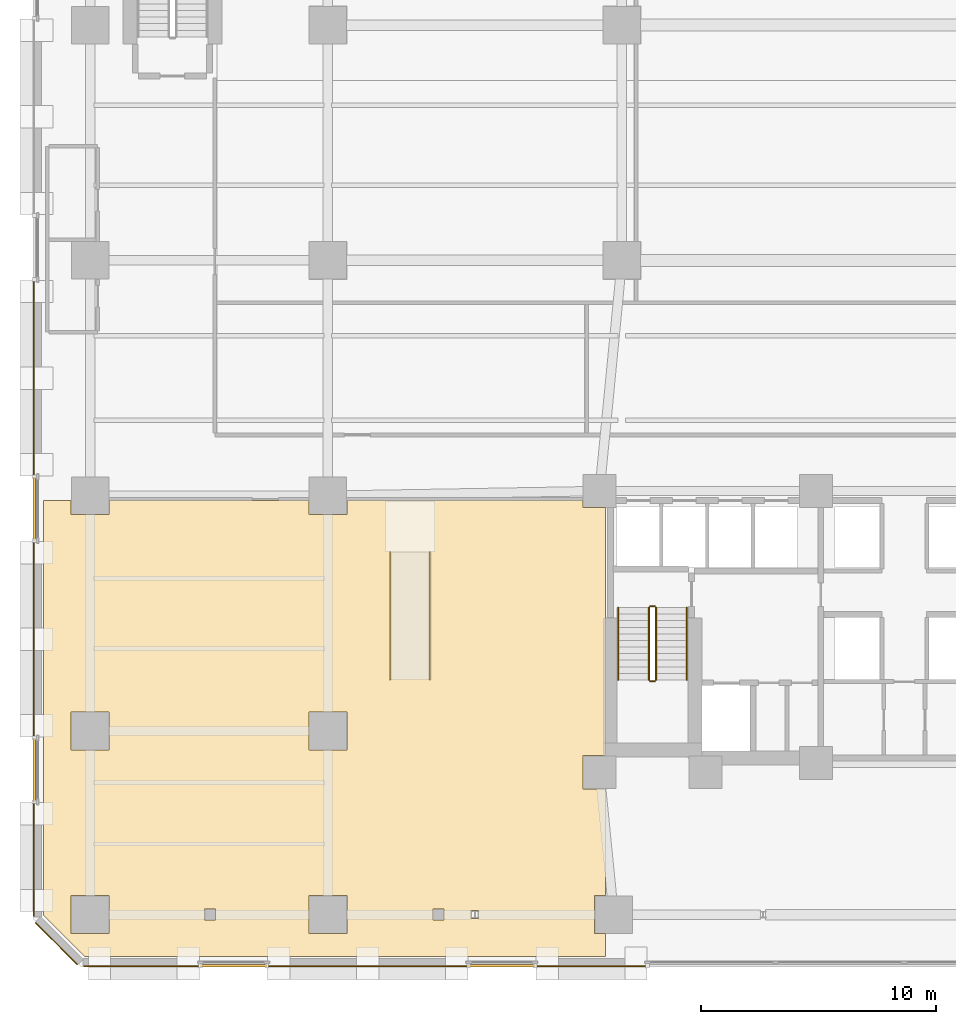
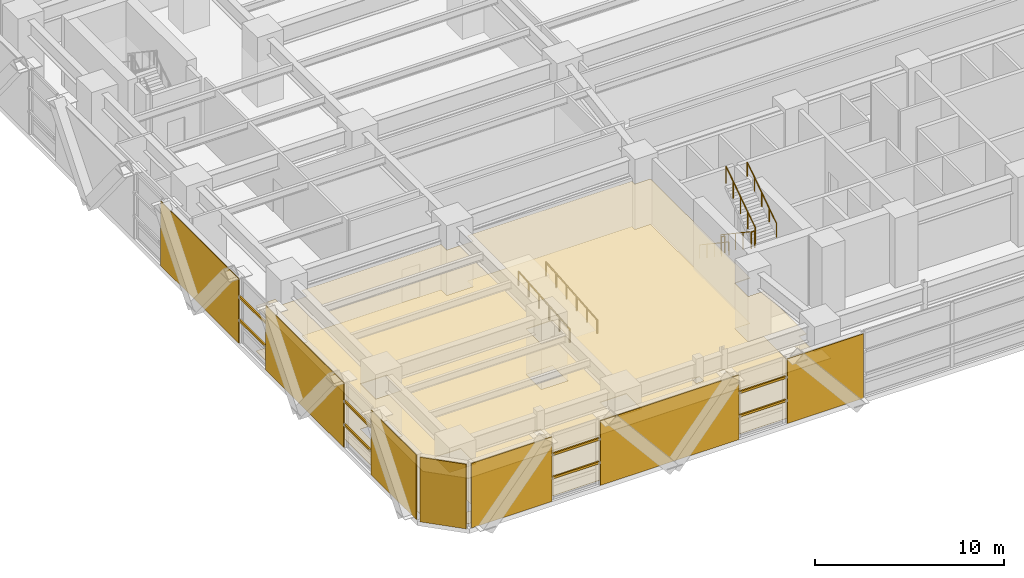
# One storey, part 20 of 26: 9 coverings, 8 railings, 8 shading devices.
"""IFC4 building model written with IfcOpenShell, lengths in metres."""

from ifc_helpers import new_model, si_unit, direction, frame, origin, origin_2d, place, context, subcontext, project, spatial, polyline, rectangle, circle, outline, extrude, material, layer, layer_set, material_profile, profile_set, type_object, element, save


model = new_model("IFC4")

# Units and contexts
model_context = context("Model", 3, precision=1e-05, world=origin(), true_north=direction((0.0, 1.0)))
body_context = subcontext(model_context, "Body", "Model", "MODEL_VIEW")
ifc_project = project(units=[si_unit("LENGTHUNIT", "METRE"), si_unit("AREAUNIT", "SQUARE_METRE"), si_unit("VOLUMEUNIT", "CUBIC_METRE"), si_unit("PLANEANGLEUNIT", "RADIAN"), si_unit("MASSUNIT", "GRAM", prefix="KILO")], contexts=[model_context])

# Site, building, storey
site_placement = place(None, origin())
site = spatial("IfcSite", under=ifc_project, at=site_placement, CompositionType="ELEMENT")
building_placement = place(site_placement, origin())
building = spatial("IfcBuilding", under=site, at=building_placement, Name="Quenlor Broadcast Tower", CompositionType="ELEMENT")
storey_placement = place(building_placement, frame((0.0, 0.0, 5.0)))
storey = spatial("IfcBuildingStorey", under=building, at=storey_placement, Name="L01", CompositionType="ELEMENT", Elevation=5.0)

# Covering
ifc_material_1 = material(Name="Acoustic Gypsum Board", Category="other")
ifc_layer_1 = layer(ifc_material_1, 0.0400390625)
ifc_layer_set_1 = layer_set([ifc_layer_1], Name="Broadcast Studio Spring Isolated Ceiling 40")
covering_type_1 = type_object("IfcCoveringType", Name="Broadcast Studio Spring Isolated Ceiling 40", PredefinedType="CEILING", material=ifc_layer_set_1)
covering_1_placement = place(storey_placement, frame((0.0, 0.0, 2.909912109375)))
element("IfcCovering", 1, at=covering_1_placement, inside=storey, type_object=covering_type_1, Name="L01 Acoustic Ceiling L01-33", PredefinedType="CEILING", context=body_context, shape_type="SweptSolid", body=[
    extrude(outline(polyline([(-36.580078125, -5.199951171875), (-35.407958984375, -5.199951171875), (-35.407958984375, -5.80810546875), (-33.7919921875, -5.80810546875), (-33.7919921875, -5.199951171875), (-25.30810546875, -5.199951171875), (-25.30810546875, -5.80810546875), (-23.69189453125, -5.80810546875), (-23.69189453125, -5.199951171875), (-13.657958984375, -5.199951171875), (-13.657958984375, -5.508056640625), (-12.699951171875, -5.508056640625), (-12.699951171875, -16.0419921875), (-13.657958984375, -16.0419921875), (-13.657958984375, -17.4580078125), (-12.699951171875, -17.4580078125), (-12.699951171875, -21.991943359375), (-13.157958984375, -21.991943359375), (-13.157958984375, -23.60791015625), (-12.699951171875, -23.60791015625), (-12.699951171875, -24.580078125), (-34.825927734375, -24.580078125), (-36.580078125, -22.825927734375), (-36.580078125, -5.199951171875)]), holes=[polyline([(-18.08642578125, -22.62841796875), (-18.41357421875, -22.62841796875), (-18.41357421875, -22.9716796875), (-18.08642578125, -22.9716796875), (-18.08642578125, -22.62841796875)]), polyline([(-33.7919921875, -23.60791015625), (-33.7919921875, -21.991943359375), (-35.407958984375, -21.991943359375), (-35.407958984375, -23.60791015625), (-33.7919921875, -23.60791015625)]), polyline([(-19.56689453125, -23.032958984375), (-19.56689453125, -22.56689453125), (-20.032958984375, -22.56689453125), (-20.032958984375, -23.032958984375), (-19.56689453125, -23.032958984375)]), polyline([(-29.26708984375, -23.032958984375), (-29.26708984375, -22.56689453125), (-29.73291015625, -22.56689453125), (-29.73291015625, -23.032958984375), (-29.26708984375, -23.032958984375)]), polyline([(-23.69189453125, -23.60791015625), (-23.69189453125, -21.991943359375), (-25.30810546875, -21.991943359375), (-25.30810546875, -23.60791015625), (-23.69189453125, -23.60791015625)]), polyline([(-33.7919921875, -15.80810546875), (-33.7919921875, -14.19189453125), (-35.407958984375, -14.19189453125), (-35.407958984375, -15.80810546875), (-33.7919921875, -15.80810546875)]), polyline([(-23.69189453125, -14.19189453125), (-25.30810546875, -14.19189453125), (-25.30810546875, -15.80810546875), (-23.69189453125, -15.80810546875), (-23.69189453125, -14.19189453125)])]), origin(), (0.0, 0.0, 1.0), 0.0400390625),
])

# Shading devices
ifc_material_2 = material(Name="Architectural Terracotta Ceramic", Category="masonry")
ifc_material_profile = material_profile(ifc_material_2, rectangle(XDim=0.090087890625, YDim=0.139892578125, at=origin_2d()))
ifc_profile_set = profile_set([ifc_material_profile], Name="Architectural Terracotta Ceramic BAG90x140")
shading_device_type = type_object("IfcShadingDeviceType", Name="Copper Terracotta Baguette Solar Screen 140", PredefinedType="USERDEFINED", material=ifc_profile_set)
for number, where, z_axis, x_axis, name in (
    (2, (-15.6904296875, -24.972900390625, 1.511962890625), (-1.0, 0.0, 0.0), (0.0, -1.0, 0.0), "L01 Terracotta Baguette Screen 1"),
    (3, (-15.6904296875, -24.972900390625, 3.02392578125), (-1.0, 0.0, 0.0), (0.0, -1.0, 0.0), "L01 Terracotta Baguette Screen 2"),
):
    element("IfcShadingDevice", number, at=place(storey_placement, frame(where, z_axis=z_axis, x_axis=x_axis)), inside=storey, type_object=shading_device_type, Name=name, ObjectType="BAGUETTE", PredefinedType="USERDEFINED", context=body_context, shape_type="SweptSolid", body=[
        extrude(rectangle(XDim=0.090087890625, YDim=0.139892578125, at=origin_2d()), origin(), (0.0, 0.0, 1.0), 2.819091796875),
    ])
for number, where, z_axis, x_axis, name in (
    (4, (-27.090576171875, -24.972900390625, 1.511962890625), (-1.0, 0.0, 0.0), (0.0, -1.0, 0.0), "L01 Terracotta Baguette Screen 1"),
    (5, (-27.090576171875, -24.972900390625, 3.02392578125), (-1.0, 0.0, 0.0), (0.0, -1.0, 0.0), "L01 Terracotta Baguette Screen 2"),
):
    element("IfcShadingDevice", number, at=place(storey_placement, frame(where, z_axis=z_axis, x_axis=x_axis)), inside=storey, type_object=shading_device_type, Name=name, ObjectType="BAGUETTE", PredefinedType="USERDEFINED", context=body_context, shape_type="SweptSolid", body=[
        extrude(rectangle(XDim=0.090087890625, YDim=0.139892578125, at=origin_2d()), origin(), (0.0, 0.0, 1.0), 2.81884765625),
    ])
for number, where, z_axis, x_axis, name in (
    (6, (-36.972900390625, -18.00634765625, 1.511962890625), (0.0, 1.0, 0.0), (-1.0, 0.0, 0.0), "L01 Terracotta Baguette Screen 1"),
    (7, (-36.972900390625, -18.00634765625, 3.02392578125), (0.0, 1.0, 0.0), (-1.0, 0.0, 0.0), "L01 Terracotta Baguette Screen 2"),
    (8, (-36.972900390625, -6.90625, 1.511962890625), (0.0, 1.0, 0.0), (-1.0, 0.0, 0.0), "L01 Terracotta Baguette Screen 1"),
    (9, (-36.972900390625, -6.90625, 3.02392578125), (0.0, 1.0, 0.0), (-1.0, 0.0, 0.0), "L01 Terracotta Baguette Screen 2"),
):
    element("IfcShadingDevice", number, at=place(storey_placement, frame(where, z_axis=z_axis, x_axis=x_axis)), inside=storey, type_object=shading_device_type, Name=name, ObjectType="BAGUETTE", PredefinedType="USERDEFINED", context=body_context, shape_type="SweptSolid", body=[
        extrude(rectangle(XDim=0.090087890625, YDim=0.139892578125, at=origin_2d()), origin(), (0.0, 0.0, 1.0), 2.712646484375),
    ])

# Coverings
ifc_material_3 = material(Name="Architectural Terracotta Ceramic", Category="masonry")
ifc_layer_2 = layer(ifc_material_3, 0.044921875)
ifc_layer_set_2 = layer_set([ifc_layer_2], Name="Fluted Terracotta Rainscreen Cladding Panel")
covering_type_2 = type_object("IfcCoveringType", Name="Fluted Terracotta Rainscreen Cladding Panel", PredefinedType="CLADDING", material=ifc_layer_set_2)
covering_2_placement = place(storey_placement, frame((0.0, 0.0, 0.02001953125)))
element("IfcCovering", 10, at=covering_2_placement, inside=storey, type_object=covering_type_2, Name="L01 Terracotta Rainscreen Cladding L01-S-FULL-SP4", PredefinedType="CLADDING", context=body_context, shape_type="SweptSolid", body=[
    extrude(outline(polyline([(-10.98046875, -24.971923828125), (-15.619384765625, -24.971923828125), (-15.619384765625, -25.01708984375), (-10.98046875, -25.01708984375), (-10.98046875, -24.971923828125)])), origin(), (0.0, 0.0, 1.0), 4.159912109375),
])
covering_3_placement = place(storey_placement, frame((0.0, 0.0, 0.02001953125)))
element("IfcCovering", 11, at=covering_3_placement, inside=storey, type_object=covering_type_2, Name="L01 Terracotta Rainscreen Cladding L01-S-FULL-SP5", PredefinedType="CLADDING", context=body_context, shape_type="SweptSolid", body=[
    extrude(outline(polyline([(-18.58056640625, -24.971923828125), (-27.01953125, -24.971923828125), (-27.01953125, -25.01708984375), (-18.58056640625, -25.01708984375), (-18.58056640625, -24.971923828125)])), origin(), (0.0, 0.0, 1.0), 4.159912109375),
])
covering_4_placement = place(storey_placement, frame((0.0, 0.0, 0.02001953125)))
element("IfcCovering", 12, at=covering_4_placement, inside=storey, type_object=covering_type_2, Name="L01 Terracotta Rainscreen Cladding L01-S-FULL-SP6", PredefinedType="CLADDING", context=body_context, shape_type="SweptSolid", body=[
    extrude(outline(polyline([(-29.98046875, -24.971923828125), (-34.8701171875, -24.971923828125), (-34.8701171875, -25.01708984375), (-29.98046875, -25.01708984375), (-29.98046875, -24.971923828125)])), origin(), (0.0, 0.0, 1.0), 4.159912109375),
])
covering_5_placement = place(storey_placement, frame((0.0, 0.0, 0.02001953125)))
element("IfcCovering", 13, at=covering_5_placement, inside=storey, type_object=covering_type_2, Name="L01 Terracotta Rainscreen Cladding L01-W-FULL-SP1", PredefinedType="CLADDING", context=body_context, shape_type="SweptSolid", body=[
    extrude(outline(polyline([(-36.971923828125, -22.8701171875), (-36.971923828125, -18.077392578125), (-37.01708984375, -18.077392578125), (-37.01708984375, -22.8701171875), (-36.971923828125, -22.8701171875)])), origin(), (0.0, 0.0, 1.0), 4.159912109375),
])
covering_6_placement = place(storey_placement, frame((0.0, 0.0, 0.02001953125)))
element("IfcCovering", 14, at=covering_6_placement, inside=storey, type_object=covering_type_2, Name="L01 Terracotta Rainscreen Cladding L01-W-FULL-SP2", PredefinedType="CLADDING", context=body_context, shape_type="SweptSolid", body=[
    extrude(outline(polyline([(-36.971923828125, -15.22265625), (-36.971923828125, -6.977294921875), (-37.01708984375, -6.977294921875), (-37.01708984375, -15.22265625), (-36.971923828125, -15.22265625)])), origin(), (0.0, 0.0, 1.0), 4.159912109375),
])
covering_7_placement = place(storey_placement, frame((0.0, 0.0, 0.02001953125)))
element("IfcCovering", 15, at=covering_7_placement, inside=storey, type_object=covering_type_2, Name="L01 Terracotta Rainscreen Cladding L01-W-FULL-SP3", PredefinedType="CLADDING", context=body_context, shape_type="SweptSolid", body=[
    extrude(outline(polyline([(-36.971923828125, -4.122802734375), (-36.971923828125, 4.122802734375), (-37.01708984375, 4.122802734375), (-37.01708984375, -4.122802734375), (-36.971923828125, -4.122802734375)])), origin(), (0.0, 0.0, 1.0), 4.159912109375),
])
covering_8_placement = place(storey_placement, frame((0.0, 0.0, 0.02001953125)))
element("IfcCovering", 16, at=covering_8_placement, inside=storey, type_object=covering_type_2, Name="L01 Terracotta Rainscreen Cladding L01-EW-CSW", PredefinedType="CLADDING", context=body_context, shape_type="SweptSolid", body=[
    extrude(outline(polyline([(-35.128662109375, -24.90625), (-36.90625, -23.128662109375), (-36.93798828125, -23.160400390625), (-35.160400390625, -24.93798828125), (-35.128662109375, -24.90625)])), origin(), (0.0, 0.0, 1.0), 4.159912109375),
])
ifc_material_4 = material(Name="Terrazzo Stone Finish", Category="masonry")
ifc_layer_3 = layer(ifc_material_4, 0.02001953125)
ifc_layer_set_3 = layer_set([ifc_layer_3], Name="Polished Sandstone Terrazzo Flooring 20")
covering_type_3 = type_object("IfcCoveringType", Name="Polished Sandstone Terrazzo Flooring 20", PredefinedType="FLOORING", material=ifc_layer_set_3)
covering_9_placement = place(storey_placement, origin())
element("IfcCovering", 17, at=covering_9_placement, inside=storey, type_object=covering_type_3, Name="L01 Terrazzo Flooring L01-33", PredefinedType="FLOORING", context=body_context, shape_type="SweptSolid", body=[
    extrude(outline(polyline([(-36.580078125, -5.199951171875), (-35.407958984375, -5.199951171875), (-35.407958984375, -5.80810546875), (-33.7919921875, -5.80810546875), (-33.7919921875, -5.199951171875), (-25.30810546875, -5.199951171875), (-25.30810546875, -5.80810546875), (-23.69189453125, -5.80810546875), (-23.69189453125, -5.199951171875), (-13.657958984375, -5.199951171875), (-13.657958984375, -5.508056640625), (-12.699951171875, -5.508056640625), (-12.699951171875, -16.0419921875), (-13.657958984375, -16.0419921875), (-13.657958984375, -17.4580078125), (-12.699951171875, -17.4580078125), (-12.699951171875, -21.991943359375), (-13.157958984375, -21.991943359375), (-13.157958984375, -23.60791015625), (-12.699951171875, -23.60791015625), (-12.699951171875, -24.580078125), (-34.825927734375, -24.580078125), (-36.580078125, -22.825927734375), (-36.580078125, -5.199951171875)]), holes=[polyline([(-18.08642578125, -22.62841796875), (-18.41357421875, -22.62841796875), (-18.41357421875, -22.9716796875), (-18.08642578125, -22.9716796875), (-18.08642578125, -22.62841796875)]), polyline([(-33.7919921875, -23.60791015625), (-33.7919921875, -21.991943359375), (-35.407958984375, -21.991943359375), (-35.407958984375, -23.60791015625), (-33.7919921875, -23.60791015625)]), polyline([(-19.56689453125, -23.032958984375), (-19.56689453125, -22.56689453125), (-20.032958984375, -22.56689453125), (-20.032958984375, -23.032958984375), (-19.56689453125, -23.032958984375)]), polyline([(-29.26708984375, -23.032958984375), (-29.26708984375, -22.56689453125), (-29.73291015625, -22.56689453125), (-29.73291015625, -23.032958984375), (-29.26708984375, -23.032958984375)]), polyline([(-23.69189453125, -23.60791015625), (-23.69189453125, -21.991943359375), (-25.30810546875, -21.991943359375), (-25.30810546875, -23.60791015625), (-23.69189453125, -23.60791015625)]), polyline([(-33.7919921875, -15.80810546875), (-33.7919921875, -14.19189453125), (-35.407958984375, -14.19189453125), (-35.407958984375, -15.80810546875), (-33.7919921875, -15.80810546875)]), polyline([(-23.69189453125, -14.19189453125), (-25.30810546875, -14.19189453125), (-25.30810546875, -15.80810546875), (-23.69189453125, -15.80810546875), (-23.69189453125, -14.19189453125)])]), origin(), (0.0, 0.0, 1.0), 0.02001953125),
])

# Railings
ifc_material_5 = material(Name="Anodised Aluminium", Category="aluminium")
railing_type_1 = type_object("IfcRailingType", Name="Stainless Aluminium Wall Handrail 900", PredefinedType="HANDRAIL", material=ifc_material_5)
railing_1_placement = place(storey_placement, frame((-12.14990234375, -9.75, 0.1875)))
element("IfcRailing", 18, at=railing_1_placement, inside=storey, type_object=railing_type_1, Name="L01 ST-1 stair handrail 1", PredefinedType="HANDRAIL", context=body_context, shape_type="SweptSolid", body=[
    extrude(circle(Radius=0.02392578125, at=origin_2d()), frame((0.0, 0.0, 0.8759765625), z_axis=(0.0, -0.830913701846, 0.55640131208), x_axis=(1.0, 0.0, 0.0)), (0.0, 0.0, 1.0), 3.706787109375),
    extrude(circle(Radius=0.02099609375, at=origin_2d()), origin(), (0.0, 0.0, 1.0), 0.851806640625),
    extrude(circle(Radius=0.02099609375, at=origin_2d()), frame((0.0, -0.77001953125, 0.515625)), (0.0, 0.0, 1.0), 0.851806640625),
    extrude(circle(Radius=0.02099609375, at=origin_2d()), frame((0.0, -1.5400390625, 1.03125)), (0.0, 0.0, 1.0), 0.851806640625),
    extrude(circle(Radius=0.02099609375, at=origin_2d()), frame((0.0, -2.31005859375, 1.546875)), (0.0, 0.0, 1.0), 0.851806640625),
    extrude(circle(Radius=0.02099609375, at=origin_2d()), frame((0.0, -3.080078125, 2.0625)), (0.0, 0.0, 1.0), 0.851806640625),
])
railing_2_placement = place(storey_placement, frame((-9.25, -12.830078125, 2.4375)))
element("IfcRailing", 19, at=railing_2_placement, inside=storey, type_object=railing_type_1, Name="L01 ST-1 stair handrail 2", PredefinedType="HANDRAIL", context=body_context, shape_type="SweptSolid", body=[
    extrude(circle(Radius=0.02392578125, at=origin_2d()), frame((0.0, 0.0, 0.8759765625), z_axis=(0.0, 0.830913701846, 0.55640131208), x_axis=(-1.0, 0.0, 0.0)), (0.0, 0.0, 1.0), 3.706787109375),
    extrude(circle(Radius=0.02099609375, at=origin_2d()), origin(), (0.0, 0.0, 1.0), 0.851806640625),
    extrude(circle(Radius=0.02099609375, at=origin_2d()), frame((0.0, 0.77001953125, 0.515625)), (0.0, 0.0, 1.0), 0.851806640625),
    extrude(circle(Radius=0.02099609375, at=origin_2d()), frame((0.0, 1.5400390625, 1.03125)), (0.0, 0.0, 1.0), 0.851806640625),
    extrude(circle(Radius=0.02099609375, at=origin_2d()), frame((0.0, 2.31005859375, 1.546875)), (0.0, 0.0, 1.0), 0.851806640625),
    extrude(circle(Radius=0.02099609375, at=origin_2d()), frame((0.0, 3.080078125, 2.0625)), (0.0, 0.0, 1.0), 0.851806640625),
])
for number, where, name in (
    (20, (-21.840087890625, -12.800048828125, 0.0), "L01 Accessible Ramp Handrail 1L"),
    (21, (-20.159912109375, -12.800048828125, 0.0), "L01 Accessible Ramp Handrail 1R"),
):
    element("IfcRailing", number, at=place(storey_placement, frame(where)), inside=storey, type_object=railing_type_1, Name=name, PredefinedType="HANDRAIL", context=body_context, shape_type="SweptSolid", body=[
        extrude(circle(Radius=0.02392578125, at=origin_2d()), frame((0.0, 0.0, 0.8759765625), z_axis=(0.0, 0.996546690331, 0.083034294059), x_axis=(-1.0, 0.0, 0.0)), (0.0, 0.0, 1.0), 5.4189453125),
        extrude(circle(Radius=0.02099609375, at=origin_2d()), origin(), (0.0, 0.0, 1.0), 0.851806640625),
        extrude(circle(Radius=0.02099609375, at=origin_2d()), frame((0.0, 1.080078125, 0.090087890625)), (0.0, 0.0, 1.0), 0.851806640625),
        extrude(circle(Radius=0.02099609375, at=origin_2d()), frame((0.0, 2.16015625, 0.179931640625)), (0.0, 0.0, 1.0), 0.851806640625),
        extrude(circle(Radius=0.02099609375, at=origin_2d()), frame((0.0, 3.239990234375, 0.27001953125)), (0.0, 0.0, 1.0), 0.851806640625),
        extrude(circle(Radius=0.02099609375, at=origin_2d()), frame((0.0, 4.320068359375, 0.35986328125)), (0.0, 0.0, 1.0), 0.851806640625),
        extrude(circle(Radius=0.02099609375, at=origin_2d()), frame((0.0, 5.400146484375, 0.449951171875)), (0.0, 0.0, 1.0), 0.851806640625),
    ])
ifc_material_6 = material(Name="Steel S355", Category="steel")
railing_type_2 = type_object("IfcRailingType", Name="Tubular Steel S355 Stair Guardrail 1100", PredefinedType="BALUSTRADE", material=ifc_material_6)
railing_3_placement = place(storey_placement, frame((-10.85009765625, -9.75, 0.1875)))
element("IfcRailing", 22, at=railing_3_placement, inside=storey, type_object=railing_type_2, Name="L01 ST-1 stair guard 1", PredefinedType="BALUSTRADE", context=body_context, shape_type="SweptSolid", body=[
    extrude(circle(Radius=0.02392578125, at=origin_2d()), frame((0.0, 0.0, 1.076171875), z_axis=(0.0, -0.830913701846, 0.55640131208), x_axis=(1.0, 0.0, 0.0)), (0.0, 0.0, 1.0), 3.706787109375),
    extrude(circle(Radius=0.02099609375, at=origin_2d()), origin(), (0.0, 0.0, 1.0), 1.052001953125),
    extrude(circle(Radius=0.02099609375, at=origin_2d()), frame((0.0, -0.77001953125, 0.515625)), (0.0, 0.0, 1.0), 1.052001953125),
    extrude(circle(Radius=0.02099609375, at=origin_2d()), frame((0.0, -1.5400390625, 1.03125)), (0.0, 0.0, 1.0), 1.052001953125),
    extrude(circle(Radius=0.02099609375, at=origin_2d()), frame((0.0, -2.31005859375, 1.546875)), (0.0, 0.0, 1.0), 1.052001953125),
    extrude(circle(Radius=0.02099609375, at=origin_2d()), frame((0.0, -3.080078125, 2.0625)), (0.0, 0.0, 1.0), 1.052001953125),
])
railing_4_placement = place(storey_placement, frame((-10.800048828125, -12.8798828125, 2.25)))
element("IfcRailing", 23, at=railing_4_placement, inside=storey, type_object=railing_type_2, Name="L01 ST-1 stair guard 2", PredefinedType="BALUSTRADE", context=body_context, shape_type="SweptSolid", body=[
    extrude(circle(Radius=0.02392578125, at=origin_2d()), frame((0.0, 0.0, 1.076171875), z_axis=(1.0, 0.0, 0.0), x_axis=(0.0, 1.0, 0.0)), (0.0, 0.0, 1.0), 0.199951171875),
    extrude(circle(Radius=0.02099609375, at=origin_2d()), origin(), (0.0, 0.0, 1.0), 1.052001953125),
    extrude(circle(Radius=0.02099609375, at=origin_2d()), frame((0.199951171875, 0.0, 0.0)), (0.0, 0.0, 1.0), 1.052001953125),
])
railing_5_placement = place(storey_placement, frame((-10.550048828125, -12.830078125, 2.4375)))
element("IfcRailing", 24, at=railing_5_placement, inside=storey, type_object=railing_type_2, Name="L01 ST-1 stair guard 3", PredefinedType="BALUSTRADE", context=body_context, shape_type="SweptSolid", body=[
    extrude(circle(Radius=0.02392578125, at=origin_2d()), frame((0.0, 0.0, 1.076171875), z_axis=(0.0, 0.830913701846, 0.55640131208), x_axis=(-1.0, 0.0, 0.0)), (0.0, 0.0, 1.0), 3.706787109375),
    extrude(circle(Radius=0.02099609375, at=origin_2d()), origin(), (0.0, 0.0, 1.0), 1.052001953125),
    extrude(circle(Radius=0.02099609375, at=origin_2d()), frame((0.0, 0.77001953125, 0.515625)), (0.0, 0.0, 1.0), 1.052001953125),
    extrude(circle(Radius=0.02099609375, at=origin_2d()), frame((0.0, 1.5400390625, 1.03125)), (0.0, 0.0, 1.0), 1.052001953125),
    extrude(circle(Radius=0.02099609375, at=origin_2d()), frame((0.0, 2.31005859375, 1.546875)), (0.0, 0.0, 1.0), 1.052001953125),
    extrude(circle(Radius=0.02099609375, at=origin_2d()), frame((0.0, 3.080078125, 2.0625)), (0.0, 0.0, 1.0), 1.052001953125),
])
railing_6_placement = place(storey_placement, frame((-10.800048828125, -9.699951171875, 0.0)))
element("IfcRailing", 25, at=railing_6_placement, inside=storey, type_object=railing_type_2, Name="L01 ST-1 stair guard 4", PredefinedType="BALUSTRADE", context=body_context, shape_type="SweptSolid", body=[
    extrude(circle(Radius=0.02392578125, at=origin_2d()), frame((0.0, 0.0, 1.076171875), z_axis=(1.0, 0.0, 0.0), x_axis=(0.0, 1.0, 0.0)), (0.0, 0.0, 1.0), 0.199951171875),
    extrude(circle(Radius=0.02099609375, at=origin_2d()), origin(), (0.0, 0.0, 1.0), 1.052001953125),
    extrude(circle(Radius=0.02099609375, at=origin_2d()), frame((0.199951171875, 0.0, 0.0)), (0.0, 0.0, 1.0), 1.052001953125),
])

save(model, "model.ifc")
